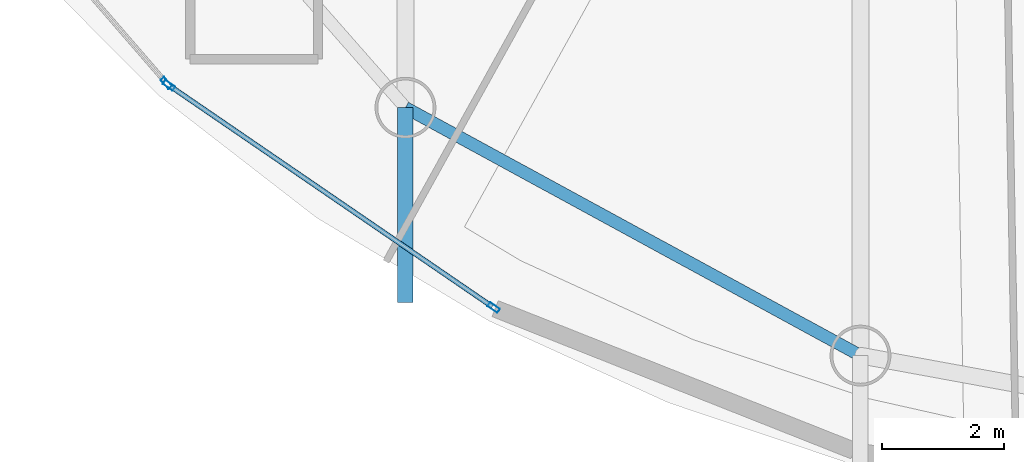
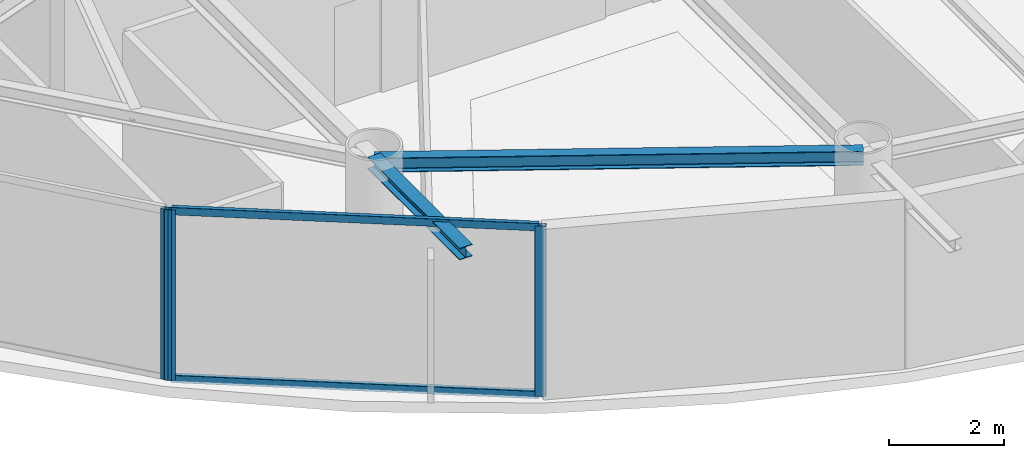
# One storey, part 2 of 16: 5 members, 2 beams, 2 elements without a shape of their own.
"""IFC4 building model written with IfcOpenShell, lengths in metres."""

import ifcopenshell
import ifcopenshell.guid

model = None  # the IFC model being written
_history = None  # IfcOwnerHistory: only IFC2X3 demands one
_inside = {}  # id of a spatial element -> (the spatial element, [elements in it])
_under = {}  # id of a project, library or spatial element -> (it, [spatial elements below it])
_declared = {}  # id of a project -> (the project, [libraries it declares])
_typed = {}  # id of a type object -> (the type object, [elements of that type])
_made_of = {}  # id of a material, layer set ... -> (it, [elements and type objects made of it])


def new_model(schema):
    """Start an empty IFC model of exactly this schema.

    Asked for "IFC4X3", IfcOpenShell would pick the latest addendum, in which some entities
    have other attributes; the version numbers below select the first issue.
    IFC2X3 requires an IfcOwnerHistory on every rooted entity: one is made here for all.
    """
    global model, _history
    if schema == "IFC4X3":
        model = ifcopenshell.file(schema_version=(4, 3, 0, 0))
    else:
        model = ifcopenshell.file(schema=schema)
    _inside.clear()
    _under.clear()
    _declared.clear()
    _typed.clear()
    _made_of.clear()
    _history = None
    if model.schema == "IFC2X3":
        org = make("IfcOrganization", Name="unknown")
        user = make(
            "IfcPersonAndOrganization",
            ThePerson=make("IfcPerson", FamilyName="unknown"),
            TheOrganization=org,
        )
        app = make(
            "IfcApplication",
            ApplicationDeveloper=org,
            Version="unknown",
            ApplicationFullName="unknown",
            ApplicationIdentifier="unknown",
        )
        _history = make(
            "IfcOwnerHistory",
            OwningUser=user,
            OwningApplication=app,
            ChangeAction="ADDED",
            CreationDate=0,
        )
    return model


def make(cls, **values):
    """One entity of the class cls with the attributes given. An attribute that is None is left unset."""
    return model.create_entity(
        cls, **{name: value for name, value in values.items() if value is not None}
    )


def rooted(cls, **values):
    """An entity with a GlobalId (a new one), such as an element, a storey or a relation."""
    return make(cls, GlobalId=ifcopenshell.guid.new(), OwnerHistory=_history, **values)


def si_unit(unit_type, name, prefix=None):
    """IfcSIUnit, for example si_unit("LENGTHUNIT", "METRE", prefix="MILLI")."""
    return make("IfcSIUnit", UnitType=unit_type, Prefix=prefix, Name=name)


def assignment(units):
    """IfcUnitAssignment: the units of a project."""
    return None if units is None else make("IfcUnitAssignment", Units=units)


def point(xyz):
    """IfcCartesianPoint."""
    return None if xyz is None else make("IfcCartesianPoint", Coordinates=xyz)


def direction(xyz):
    """IfcDirection."""
    return None if xyz is None else make("IfcDirection", DirectionRatios=xyz)


def frame(location, z_axis=None, x_axis=None):
    """IfcAxis2Placement3D, a coordinate frame: its origin and axes. An axis left out is left unset."""
    return make(
        "IfcAxis2Placement3D",
        Location=point(location),
        Axis=direction(z_axis),
        RefDirection=direction(x_axis),
    )


def frame_2d(location, x_axis=None):
    """IfcAxis2Placement2D, a coordinate frame in the plane: its origin and x axis."""
    return make(
        "IfcAxis2Placement2D", Location=point(location), RefDirection=direction(x_axis)
    )


def origin():
    """The frame at (0, 0, 0) with its axes left unset."""
    return frame((0.0, 0.0, 0.0))


def origin_2d():
    """The frame at (0, 0) in the plane with its x axis left unset."""
    return frame_2d((0.0, 0.0))


def place(relative_to, where):
    """IfcLocalPlacement: puts the frame where relative to a parent placement (None: the world)."""
    return make(
        "IfcLocalPlacement", PlacementRelTo=relative_to, RelativePlacement=where
    )


def context(
    kind, dimensions, precision=None, world=None, true_north=None, identifier=None
):
    """IfcGeometricRepresentationContext, for example the 3D "Model" context."""
    return make(
        "IfcGeometricRepresentationContext",
        ContextIdentifier=identifier,
        ContextType=kind,
        CoordinateSpaceDimension=dimensions,
        Precision=precision,
        WorldCoordinateSystem=world,
        TrueNorth=true_north,
    )


def subcontext(parent, identifier, kind, view, scale=None):
    """IfcGeometricRepresentationSubContext, for example "Body" below "Model"."""
    return make(
        "IfcGeometricRepresentationSubContext",
        ContextIdentifier=identifier,
        ContextType=kind,
        ParentContext=parent,
        TargetScale=scale,
        TargetView=view,
    )


def project(units=None, contexts=None):
    """IfcProject with its units and contexts."""
    return rooted(
        "IfcProject",
        Name="project",
        RepresentationContexts=contexts,
        UnitsInContext=assignment(units),
    )


def spatial(cls, under=None, at=None, **own):
    """A site, building, storey or space (cls), placed at a placement, below another one or the project."""
    s = rooted(cls, ObjectPlacement=at, **own)
    if under is not None:
        _under.setdefault(under.id(), (under, []))[1].append(s)
    return s


def profile(cls, at=None, kind="AREA", **sizes):
    """A parametric profile (cls). Its sizes go by their IFC names, for example OverallWidth=200.0."""
    return make(cls, ProfileType=kind, Position=at, **sizes)


def hollow_rectangle(**sizes):
    """IfcRectangleHollowProfileDef."""
    return profile("IfcRectangleHollowProfileDef", **sizes)


def i_section(**sizes):
    """IfcIShapeProfileDef."""
    return profile("IfcIShapeProfileDef", **sizes)


def extrude(swept, where, along, depth):
    """IfcExtrudedAreaSolid: the profile swept, set in the frame where, extruded along a direction by depth."""
    return make(
        "IfcExtrudedAreaSolid",
        SweptArea=swept,
        Position=where,
        ExtrudedDirection=direction(along),
        Depth=depth,
    )


def shape(context_of_items, identifier, shape_type, items):
    """IfcShapeRepresentation: the items that make up one representation, for example the "Body"."""
    return make(
        "IfcShapeRepresentation",
        ContextOfItems=context_of_items,
        RepresentationIdentifier=identifier,
        RepresentationType=shape_type,
        Items=items,
    )


def material(Name=None, Category=None):
    """IfcMaterial."""
    return make("IfcMaterial", Name=Name, Category=Category)


def layer(
    of_material, thickness, ventilated=None, Name=None, Category=None, Priority=None
):
    """IfcMaterialLayer: one layer of a wall or slab, of a material (None: an air gap)."""
    return make(
        "IfcMaterialLayer",
        Material=of_material,
        LayerThickness=thickness,
        IsVentilated=ventilated,
        Name=Name,
        Category=Category,
        Priority=Priority,
    )


def layer_set(layers, Name=None):
    """IfcMaterialLayerSet."""
    return make("IfcMaterialLayerSet", MaterialLayers=layers, LayerSetName=Name)


def material_profile(
    of_material, cross_section, Name=None, Category=None, Priority=None
):
    """IfcMaterialProfile: a cross section and its material."""
    return make(
        "IfcMaterialProfile",
        Name=Name,
        Material=of_material,
        Profile=cross_section,
        Priority=Priority,
        Category=Category,
    )


def profile_set(profiles, Name=None, composite=None):
    """IfcMaterialProfileSet."""
    return make(
        "IfcMaterialProfileSet",
        Name=Name,
        MaterialProfiles=profiles,
        CompositeProfile=composite,
    )


def made_of(thing, what):
    """Note that an element or type object is made of a material, layer set ...; save() writes the relation."""
    if what is not None:
        _made_of.setdefault(what.id(), (what, []))[1].append(thing)
    return thing


def type_object(cls, material=None, **own):
    """A type object (cls), such as IfcWallType, which elements share."""
    return made_of(rooted(cls, **own), material)


def element(
    cls,
    number,
    at=None,
    inside=None,
    cuts=None,
    type_object=None,
    material=None,
    context=None,
    identifier="Body",
    shape_type=None,
    held_by="IfcProductDefinitionShape",
    body=None,
    shapes=None,
    **own,
):
    """One element of the class cls, such as IfcWall. Its Tag is "e" and its number.

    at: its placement. inside: the storey or other place that contains it. cuts: it is an
    opening in that element (IfcRelVoidsElement). A single representation is given by context,
    identifier, shape_type and body (its items); several are given by shapes. held_by: the class
    of the entity that holds the representations. save() writes the other relations.
    """
    e = rooted(cls, Tag="e%d" % number, ObjectPlacement=at, **own)
    if body is not None:
        shapes = [shape(context, identifier, shape_type, body)]
    if shapes is not None:
        e.Representation = make(held_by, Representations=shapes)
    if inside is not None:
        _inside.setdefault(inside.id(), (inside, []))[1].append(e)
    if cuts is not None:
        rooted(
            "IfcRelVoidsElement", RelatingBuildingElement=cuts, RelatedOpeningElement=e
        )
    if type_object is not None:
        _typed.setdefault(type_object.id(), (type_object, []))[1].append(e)
    return made_of(e, material)


def aggregate(whole, parts):
    """IfcRelAggregates: a whole, such as a stair, and the parts it consists of."""
    return rooted("IfcRelAggregates", RelatingObject=whole, RelatedObjects=parts)


def save(model, path):
    """Write the relations noted so far, then the file.

    IfcRelAggregates (storeys below a building ...), IfcRelContainedInSpatialStructure (elements
    in a storey), IfcRelDefinesByType, IfcRelAssociatesMaterial and IfcRelDeclares: one each for
    every whole, place, type object, material and project.
    """
    for whole, parts in _under.values():
        aggregate(whole, parts)
    for where, things in _inside.values():
        rooted(
            "IfcRelContainedInSpatialStructure",
            RelatedElements=things,
            RelatingStructure=where,
        )
    for kind, things in _typed.values():
        rooted("IfcRelDefinesByType", RelatedObjects=things, RelatingType=kind)
    for what, things in _made_of.values():
        rooted("IfcRelAssociatesMaterial", RelatedObjects=things, RelatingMaterial=what)
    for by, libraries in _declared.values():
        rooted("IfcRelDeclares", RelatingContext=by, RelatedDefinitions=libraries)
    model.write(path)


model = new_model("IFC4")

# Units and contexts
model_context = context("Model", 3, precision=1e-05, world=origin(), true_north=direction((0.0, 1.0)))
body_context = subcontext(model_context, "Body", "Model", "MODEL_VIEW")
ifc_project = project(units=[si_unit("LENGTHUNIT", "METRE"), si_unit("AREAUNIT", "SQUARE_METRE"), si_unit("VOLUMEUNIT", "CUBIC_METRE"), si_unit("PLANEANGLEUNIT", "RADIAN"), si_unit("MASSUNIT", "GRAM", prefix="KILO")], contexts=[model_context])

# Site, building, storey
site_placement = place(None, origin())
site = spatial("IfcSite", under=ifc_project, at=site_placement, CompositionType="ELEMENT")
building_placement = place(site_placement, origin())
building = spatial("IfcBuilding", under=site, at=building_placement, Name="Bramvorn Convention Spire", CompositionType="ELEMENT")
storey_placement = place(building_placement, frame((0.0, 0.0, 261.300048828125)))
storey = spatial("IfcBuildingStorey", under=building, at=storey_placement, Name="L66", CompositionType="ELEMENT", Elevation=261.300048828125)

# Beams
ifc_material_1 = material(Name="Steel CSA G40.21 Grade 350 (350W)", Category="steel")
ifc_material_profile_1 = material_profile(ifc_material_1, i_section(OverallWidth=0.25390625, OverallDepth=0.2529296875, WebThickness=0.008544921875, FlangeThickness=0.01416015625, FilletRadius=0.011962890625, at=origin_2d()))
ifc_profile_set_1 = profile_set([ifc_material_profile_1], Name="Steel CSA G40.21 Grade 350 (350W) - W250X73")
beam_type_1 = type_object("IfcBeamType", Name="BM-W250X73", PredefinedType="BEAM", material=ifc_profile_set_1)
beam_1_placement = place(storey_placement, frame((28.337646484375, 10.523193359375, 3.49853515625), z_axis=(0.0, -1.0, 0.0), x_axis=(1.0, 0.0, 0.0)))
element("IfcBeam", 1, at=beam_1_placement, inside=storey, type_object=beam_type_1, Name="L66 slab-edge cantilever tip beam MC14", PredefinedType="BEAM", context=body_context, shape_type="SweptSolid", body=[
    extrude(i_section(OverallWidth=0.25390625, OverallDepth=0.2529296875, WebThickness=0.008544921875, FlangeThickness=0.01416015625, FilletRadius=0.011962890625, at=origin_2d()), origin(), (0.0, 0.0, 1.0), 3.199951171875),
])
ifc_material_profile_2 = material_profile(ifc_material_1, i_section(OverallWidth=0.202880859375, OverallDepth=0.302978515625, WebThickness=0.007568359375, FlangeThickness=0.01318359375, FilletRadius=0.013916015625, at=origin_2d()))
ifc_profile_set_2 = profile_set([ifc_material_profile_2], Name="Steel CSA G40.21 Grade 350 (350W) - W310X60")
beam_type_2 = type_object("IfcBeamType", Name="BM-W310X60", PredefinedType="JOIST", material=ifc_profile_set_2)
beam_2_placement = place(storey_placement, frame((28.337646484375, 10.523193359375, 3.473388671875), z_axis=(0.878133224771, -0.478416178189, 0.0), x_axis=(0.478416178189, 0.878133224771, 0.0)))
element("IfcBeam", 2, at=beam_2_placement, inside=storey, type_object=beam_type_2, Name="L66 mega-column ring beam 14", PredefinedType="JOIST", context=body_context, shape_type="SweptSolid", body=[
    extrude(i_section(OverallWidth=0.202880859375, OverallDepth=0.302978515625, WebThickness=0.007568359375, FlangeThickness=0.01318359375, FilletRadius=0.013916015625, at=origin_2d()), origin(), (0.0, 0.0, 1.0), 8.515625),
])

# Curtain wall, member
ifc_material_2 = material(Name="Anodised Bronze Unitised Curtain Wall", Category="aluminium")
ifc_layer = layer(ifc_material_2, 0.179931640625)
ifc_layer_set = layer_set([ifc_layer], Name="Anodised Bronze Unitised Curtain Wall - CW-OFF-FRIT")
curtain_wall_type = type_object("IfcCurtainWallType", Name="CW-OFF-FRIT", PredefinedType="USERDEFINED", material=ifc_layer_set)
curtain_wall_1_placement = place(storey_placement, origin())
curtain_wall_1 = element("IfcCurtainWall", 3, at=curtain_wall_1_placement, inside=storey, type_object=curtain_wall_type, Name="L66 fritted glass curtain wall 19", ObjectType="UNITISED CURTAIN WALL", PredefinedType="USERDEFINED")
ifc_material_3 = material(Name="Anodised Bronze Aluminium 6063-T6", Category="aluminium")
ifc_material_profile_3 = material_profile(ifc_material_3, hollow_rectangle(XDim=0.080078125, YDim=0.199951171875, WallThickness=0.00390625, InnerFilletRadius=0.0009765625, OuterFilletRadius=0.00390625, at=origin_2d()))
ifc_profile_set_3 = profile_set([ifc_material_profile_3], Name="Anodised Bronze Aluminium 6063-T6 - CWM80X200")
member_type_1 = type_object("IfcMemberType", Name="CW-MUL-180", PredefinedType="MULLION", material=ifc_profile_set_3)
member_1_placement = place(storey_placement, frame((24.4072265625, 10.93017578125, 0.0), z_axis=(0.0, 0.0, 1.0), x_axis=(-0.756062536514, -0.654499381879, 0.0)))
member_1 = element("IfcMember", 4, at=member_1_placement, type_object=member_type_1, Name="CW3 mullion 1", PredefinedType="MULLION", context=body_context, shape_type="SweptSolid", body=[
    extrude(hollow_rectangle(XDim=0.080078125, YDim=0.199951171875, WallThickness=0.00390625, InnerFilletRadius=0.0009765625, OuterFilletRadius=0.00390625, at=origin_2d()), origin(), (0.0, 0.0, 1.0), 3.625),
])
aggregate(curtain_wall_1, [member_1])

# Curtain wall, members
curtain_wall_2_placement = place(storey_placement, origin())
curtain_wall_2 = element("IfcCurtainWall", 5, at=curtain_wall_2_placement, inside=storey, type_object=curtain_wall_type, Name="L66 fritted glass curtain wall 20", ObjectType="UNITISED CURTAIN WALL", PredefinedType="USERDEFINED")
member_2_placement = place(storey_placement, frame((29.787353515625, 7.238037109375, 0.0), z_axis=(0.0, 0.0, 1.0), x_axis=(-0.564863527126, -0.82518434045, 0.0)))
member_2 = element("IfcMember", 6, at=member_2_placement, type_object=member_type_1, Name="CW3 mullion 1", PredefinedType="MULLION", context=body_context, shape_type="SweptSolid", body=[
    extrude(hollow_rectangle(XDim=0.080078125, YDim=0.199951171875, WallThickness=0.00390625, InnerFilletRadius=0.0009765625, OuterFilletRadius=0.00390625, at=origin_2d()), origin(), (0.0, 0.0, 1.0), 3.625),
])
member_3_placement = place(storey_placement, frame((24.45166015625, 10.890380859375, 0.0), z_axis=(0.0, 0.0, 1.0), x_axis=(-0.564863527126, -0.82518434045, 0.0)))
member_3 = element("IfcMember", 7, at=member_3_placement, type_object=member_type_1, Name="CW3 mullion 2", PredefinedType="MULLION", context=body_context, shape_type="SweptSolid", body=[
    extrude(hollow_rectangle(XDim=0.080078125, YDim=0.199951171875, WallThickness=0.00390625, InnerFilletRadius=0.0009765625, OuterFilletRadius=0.00390625, at=origin_2d()), origin(), (0.0, 0.0, 1.0), 3.625),
])
ifc_material_profile_4 = material_profile(ifc_material_3, hollow_rectangle(XDim=0.080078125, YDim=0.159912109375, WallThickness=0.00390625, InnerFilletRadius=0.0009765625, OuterFilletRadius=0.00390625, at=origin_2d()))
ifc_profile_set_4 = profile_set([ifc_material_profile_4], Name="Anodised Bronze Aluminium 6063-T6 - CWT80X160")
member_type_2 = type_object("IfcMemberType", Name="CW-TRN-150", PredefinedType="USERDEFINED", material=ifc_profile_set_4)
member_4_placement = place(storey_placement, frame((29.7626953125, 7.2548828125, 0.030029296875), z_axis=(-0.82518665798, 0.564860141532, 0.0), x_axis=(-0.564860141532, -0.82518665798, 0.0)))
member_4 = element("IfcMember", 8, at=member_4_placement, type_object=member_type_2, Name="CW3 transom 1.1", ObjectType="TRANSOM", PredefinedType="USERDEFINED", context=body_context, shape_type="SweptSolid", body=[
    extrude(hollow_rectangle(XDim=0.080078125, YDim=0.159912109375, WallThickness=0.00390625, InnerFilletRadius=0.0009765625, OuterFilletRadius=0.00390625, at=origin_2d()), origin(), (0.0, 0.0, 1.0), 6.40625),
])
member_5_placement = place(storey_placement, frame((29.7626953125, 7.2548828125, 3.594970703125), z_axis=(-0.82518665798, 0.564860141532, 0.0), x_axis=(-0.564860141532, -0.82518665798, 0.0)))
member_5 = element("IfcMember", 9, at=member_5_placement, type_object=member_type_2, Name="CW3 transom 1.2", ObjectType="TRANSOM", PredefinedType="USERDEFINED", context=body_context, shape_type="SweptSolid", body=[
    extrude(hollow_rectangle(XDim=0.080078125, YDim=0.159912109375, WallThickness=0.00390625, InnerFilletRadius=0.0009765625, OuterFilletRadius=0.00390625, at=origin_2d()), origin(), (0.0, 0.0, 1.0), 6.40625),
])
aggregate(curtain_wall_2, [member_2, member_3, member_4, member_5])

save(model, "model.ifc")
